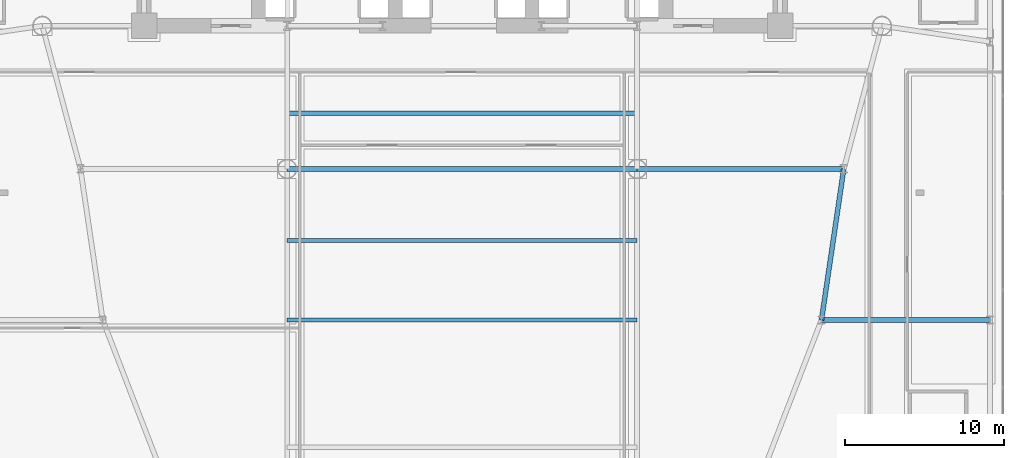
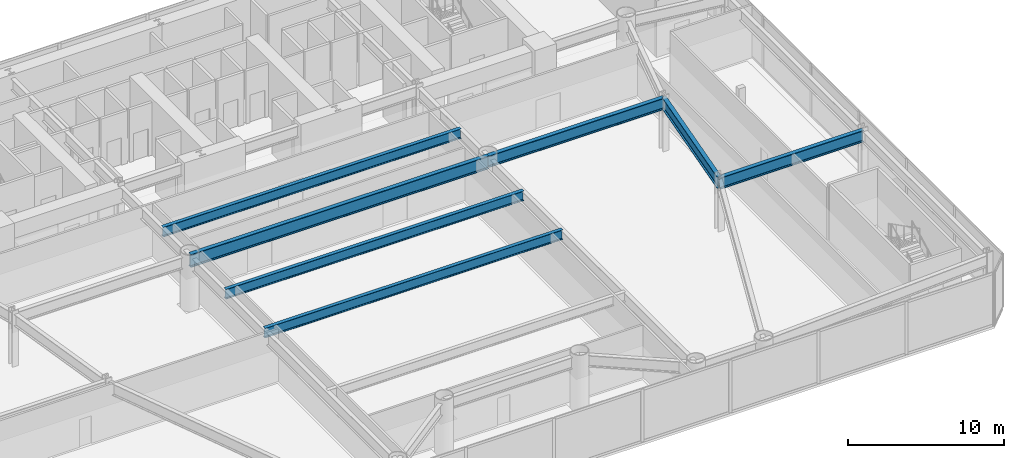
# One storey, part 6 of 24: 7 beams.
"""IFC4 building model written with IfcOpenShell, lengths in metres."""

import ifcopenshell
import ifcopenshell.guid

model = None  # the IFC model being written
_history = None  # IfcOwnerHistory: only IFC2X3 demands one
_inside = {}  # id of a spatial element -> (the spatial element, [elements in it])
_under = {}  # id of a project, library or spatial element -> (it, [spatial elements below it])
_declared = {}  # id of a project -> (the project, [libraries it declares])
_typed = {}  # id of a type object -> (the type object, [elements of that type])
_made_of = {}  # id of a material, layer set ... -> (it, [elements and type objects made of it])


def new_model(schema):
    """Start an empty IFC model of exactly this schema.

    Asked for "IFC4X3", IfcOpenShell would pick the latest addendum, in which some entities
    have other attributes; the version numbers below select the first issue.
    IFC2X3 requires an IfcOwnerHistory on every rooted entity: one is made here for all.
    """
    global model, _history
    if schema == "IFC4X3":
        model = ifcopenshell.file(schema_version=(4, 3, 0, 0))
    else:
        model = ifcopenshell.file(schema=schema)
    _inside.clear()
    _under.clear()
    _declared.clear()
    _typed.clear()
    _made_of.clear()
    _history = None
    if model.schema == "IFC2X3":
        org = make("IfcOrganization", Name="unknown")
        user = make(
            "IfcPersonAndOrganization",
            ThePerson=make("IfcPerson", FamilyName="unknown"),
            TheOrganization=org,
        )
        app = make(
            "IfcApplication",
            ApplicationDeveloper=org,
            Version="unknown",
            ApplicationFullName="unknown",
            ApplicationIdentifier="unknown",
        )
        _history = make(
            "IfcOwnerHistory",
            OwningUser=user,
            OwningApplication=app,
            ChangeAction="ADDED",
            CreationDate=0,
        )
    return model


def make(cls, **values):
    """One entity of the class cls with the attributes given. An attribute that is None is left unset."""
    return model.create_entity(
        cls, **{name: value for name, value in values.items() if value is not None}
    )


def rooted(cls, **values):
    """An entity with a GlobalId (a new one), such as an element, a storey or a relation."""
    return make(cls, GlobalId=ifcopenshell.guid.new(), OwnerHistory=_history, **values)


def si_unit(unit_type, name, prefix=None):
    """IfcSIUnit, for example si_unit("LENGTHUNIT", "METRE", prefix="MILLI")."""
    return make("IfcSIUnit", UnitType=unit_type, Prefix=prefix, Name=name)


def assignment(units):
    """IfcUnitAssignment: the units of a project."""
    return None if units is None else make("IfcUnitAssignment", Units=units)


def point(xyz):
    """IfcCartesianPoint."""
    return None if xyz is None else make("IfcCartesianPoint", Coordinates=xyz)


def direction(xyz):
    """IfcDirection."""
    return None if xyz is None else make("IfcDirection", DirectionRatios=xyz)


def frame(location, z_axis=None, x_axis=None):
    """IfcAxis2Placement3D, a coordinate frame: its origin and axes. An axis left out is left unset."""
    return make(
        "IfcAxis2Placement3D",
        Location=point(location),
        Axis=direction(z_axis),
        RefDirection=direction(x_axis),
    )


def frame_2d(location, x_axis=None):
    """IfcAxis2Placement2D, a coordinate frame in the plane: its origin and x axis."""
    return make(
        "IfcAxis2Placement2D", Location=point(location), RefDirection=direction(x_axis)
    )


def origin():
    """The frame at (0, 0, 0) with its axes left unset."""
    return frame((0.0, 0.0, 0.0))


def origin_2d():
    """The frame at (0, 0) in the plane with its x axis left unset."""
    return frame_2d((0.0, 0.0))


def place(relative_to, where):
    """IfcLocalPlacement: puts the frame where relative to a parent placement (None: the world)."""
    return make(
        "IfcLocalPlacement", PlacementRelTo=relative_to, RelativePlacement=where
    )


def context(
    kind, dimensions, precision=None, world=None, true_north=None, identifier=None
):
    """IfcGeometricRepresentationContext, for example the 3D "Model" context."""
    return make(
        "IfcGeometricRepresentationContext",
        ContextIdentifier=identifier,
        ContextType=kind,
        CoordinateSpaceDimension=dimensions,
        Precision=precision,
        WorldCoordinateSystem=world,
        TrueNorth=true_north,
    )


def subcontext(parent, identifier, kind, view, scale=None):
    """IfcGeometricRepresentationSubContext, for example "Body" below "Model"."""
    return make(
        "IfcGeometricRepresentationSubContext",
        ContextIdentifier=identifier,
        ContextType=kind,
        ParentContext=parent,
        TargetScale=scale,
        TargetView=view,
    )


def project(units=None, contexts=None):
    """IfcProject with its units and contexts."""
    return rooted(
        "IfcProject",
        Name="project",
        RepresentationContexts=contexts,
        UnitsInContext=assignment(units),
    )


def spatial(cls, under=None, at=None, **own):
    """A site, building, storey or space (cls), placed at a placement, below another one or the project."""
    s = rooted(cls, ObjectPlacement=at, **own)
    if under is not None:
        _under.setdefault(under.id(), (under, []))[1].append(s)
    return s


def profile(cls, at=None, kind="AREA", **sizes):
    """A parametric profile (cls). Its sizes go by their IFC names, for example OverallWidth=200.0."""
    return make(cls, ProfileType=kind, Position=at, **sizes)


def i_section(**sizes):
    """IfcIShapeProfileDef."""
    return profile("IfcIShapeProfileDef", **sizes)


def extrude(swept, where, along, depth):
    """IfcExtrudedAreaSolid: the profile swept, set in the frame where, extruded along a direction by depth."""
    return make(
        "IfcExtrudedAreaSolid",
        SweptArea=swept,
        Position=where,
        ExtrudedDirection=direction(along),
        Depth=depth,
    )


def shape(context_of_items, identifier, shape_type, items):
    """IfcShapeRepresentation: the items that make up one representation, for example the "Body"."""
    return make(
        "IfcShapeRepresentation",
        ContextOfItems=context_of_items,
        RepresentationIdentifier=identifier,
        RepresentationType=shape_type,
        Items=items,
    )


def source(mapping_origin, context_of_items, identifier, shape_type, items):
    """IfcRepresentationMap: a shape defined once, which mapped items show again and again."""
    return make(
        "IfcRepresentationMap",
        MappingOrigin=mapping_origin,
        MappedRepresentation=shape(context_of_items, identifier, shape_type, items),
    )


def transform(
    local_origin,
    x_axis=None,
    y_axis=None,
    z_axis=None,
    scale=None,
    scale2=None,
    scale3=None,
    uniform=True,
):
    """IfcCartesianTransformationOperator3D, or its non-uniform kind. x_axis, y_axis, z_axis: its Axis1, 2, 3."""
    if uniform:
        return make(
            "IfcCartesianTransformationOperator3D",
            Axis1=direction(x_axis),
            Axis2=direction(y_axis),
            LocalOrigin=point(local_origin),
            Scale=scale,
            Axis3=direction(z_axis),
        )
    return make(
        "IfcCartesianTransformationOperator3DnonUniform",
        Axis1=direction(x_axis),
        Axis2=direction(y_axis),
        LocalOrigin=point(local_origin),
        Scale=scale,
        Axis3=direction(z_axis),
        Scale2=scale2,
        Scale3=scale3,
    )


def mapped(mapping_source, mapping_target):
    """IfcMappedItem: shows the shape of a source again, moved by a transform."""
    return make(
        "IfcMappedItem", MappingSource=mapping_source, MappingTarget=mapping_target
    )


def material(Name=None, Category=None):
    """IfcMaterial."""
    return make("IfcMaterial", Name=Name, Category=Category)


def material_profile(
    of_material, cross_section, Name=None, Category=None, Priority=None
):
    """IfcMaterialProfile: a cross section and its material."""
    return make(
        "IfcMaterialProfile",
        Name=Name,
        Material=of_material,
        Profile=cross_section,
        Priority=Priority,
        Category=Category,
    )


def profile_set(profiles, Name=None, composite=None):
    """IfcMaterialProfileSet."""
    return make(
        "IfcMaterialProfileSet",
        Name=Name,
        MaterialProfiles=profiles,
        CompositeProfile=composite,
    )


def made_of(thing, what):
    """Note that an element or type object is made of a material, layer set ...; save() writes the relation."""
    if what is not None:
        _made_of.setdefault(what.id(), (what, []))[1].append(thing)
    return thing


def type_object(cls, material=None, **own):
    """A type object (cls), such as IfcWallType, which elements share."""
    return made_of(rooted(cls, **own), material)


def element(
    cls,
    number,
    at=None,
    inside=None,
    cuts=None,
    type_object=None,
    material=None,
    context=None,
    identifier="Body",
    shape_type=None,
    held_by="IfcProductDefinitionShape",
    body=None,
    shapes=None,
    **own,
):
    """One element of the class cls, such as IfcWall. Its Tag is "e" and its number.

    at: its placement. inside: the storey or other place that contains it. cuts: it is an
    opening in that element (IfcRelVoidsElement). A single representation is given by context,
    identifier, shape_type and body (its items); several are given by shapes. held_by: the class
    of the entity that holds the representations. save() writes the other relations.
    """
    e = rooted(cls, Tag="e%d" % number, ObjectPlacement=at, **own)
    if body is not None:
        shapes = [shape(context, identifier, shape_type, body)]
    if shapes is not None:
        e.Representation = make(held_by, Representations=shapes)
    if inside is not None:
        _inside.setdefault(inside.id(), (inside, []))[1].append(e)
    if cuts is not None:
        rooted(
            "IfcRelVoidsElement", RelatingBuildingElement=cuts, RelatedOpeningElement=e
        )
    if type_object is not None:
        _typed.setdefault(type_object.id(), (type_object, []))[1].append(e)
    return made_of(e, material)


def aggregate(whole, parts):
    """IfcRelAggregates: a whole, such as a stair, and the parts it consists of."""
    return rooted("IfcRelAggregates", RelatingObject=whole, RelatedObjects=parts)


def save(model, path):
    """Write the relations noted so far, then the file.

    IfcRelAggregates (storeys below a building ...), IfcRelContainedInSpatialStructure (elements
    in a storey), IfcRelDefinesByType, IfcRelAssociatesMaterial and IfcRelDeclares: one each for
    every whole, place, type object, material and project.
    """
    for whole, parts in _under.values():
        aggregate(whole, parts)
    for where, things in _inside.values():
        rooted(
            "IfcRelContainedInSpatialStructure",
            RelatedElements=things,
            RelatingStructure=where,
        )
    for kind, things in _typed.values():
        rooted("IfcRelDefinesByType", RelatedObjects=things, RelatingType=kind)
    for what, things in _made_of.values():
        rooted("IfcRelAssociatesMaterial", RelatedObjects=things, RelatingMaterial=what)
    for by, libraries in _declared.values():
        rooted("IfcRelDeclares", RelatingContext=by, RelatedDefinitions=libraries)
    model.write(path)


model = new_model("IFC4")

# Units and contexts
model_context = context("Model", 3, precision=1e-05, world=origin(), true_north=direction((0.0, 1.0)))
body_context = subcontext(model_context, "Body", "Model", "MODEL_VIEW")
ifc_project = project(units=[si_unit("LENGTHUNIT", "METRE"), si_unit("AREAUNIT", "SQUARE_METRE"), si_unit("VOLUMEUNIT", "CUBIC_METRE"), si_unit("PLANEANGLEUNIT", "RADIAN"), si_unit("MASSUNIT", "GRAM", prefix="KILO")], contexts=[model_context])

# Site, building, storey
site_placement = place(None, origin())
site = spatial("IfcSite", under=ifc_project, at=site_placement, CompositionType="ELEMENT")
building_placement = place(site_placement, origin())
building = spatial("IfcBuilding", under=site, at=building_placement, Name="Vaeldorn Concourse Tower", CompositionType="ELEMENT")
storey_placement = place(building_placement, frame((0.0, 0.0, 10.0)))
storey = spatial("IfcBuildingStorey", under=building, at=storey_placement, Name="L02", CompositionType="ELEMENT", Elevation=10.0)

# Beams
ifc_material_1 = material(Name="Steel S355", Category="steel")
ifc_material_profile_1 = material_profile(ifc_material_1, i_section(OverallWidth=0.302001953125, OverallDepth=0.909912109375, WebThickness=0.02099609375, FlangeThickness=0.0400390625, FilletRadius=0.030029296875, at=origin_2d()), Name="HEM 900")
ifc_profile_set_1 = profile_set([ifc_material_profile_1], Name="Steel S355")
beam_type_1 = type_object("IfcBeamType", Name="BM-PG-HEM900", PredefinedType="BEAM", material=ifc_profile_set_1)
shared_shape_1 = source(origin(), body_context, "Body", "SweptSolid", [
    extrude(i_section(OverallWidth=0.302001953125, OverallDepth=0.909912109375, WebThickness=0.02099609375, FlangeThickness=0.0400390625, FilletRadius=0.030029296875, at=origin_2d()), origin(), (0.0, 0.0, 1.0), 9.6025390625),
])
beam_1_placement = place(storey_placement, frame((58.0, 27.5, 3.6650390625), z_axis=(-0.145783835977, -0.989316467652, 0.0), x_axis=(0.989316467652, -0.145783835977, 0.0)))
element("IfcBeam", 1, at=beam_1_placement, inside=storey, type_object=beam_type_1, Name="Beam BM-L02-C-FLE1-C-FLE2", PredefinedType="BEAM", context=body_context, shape_type="MappedRepresentation", body=[
    mapped(shared_shape_1, transform((0.0, 0.0, 0.0), scale=1.0)),
])
ifc_material_2 = material(Name="Steel S460", Category="steel")
ifc_material_profile_2 = material_profile(ifc_material_2, i_section(OverallWidth=0.302001953125, OverallDepth=1.008056640625, WebThickness=0.02099609375, FlangeThickness=0.0400390625, FilletRadius=0.030029296875, at=origin_2d()), Name="HEM 1000")
ifc_profile_set_2 = profile_set([ifc_material_profile_2], Name="Steel S460")
beam_type_2 = type_object("IfcBeamType", Name="BM-TG-HEM1000", PredefinedType="BEAM", material=ifc_profile_set_2)
shared_shape_2 = source(origin(), body_context, "Body", "SweptSolid", [
    extrude(i_section(OverallWidth=0.302001953125, OverallDepth=1.008056640625, WebThickness=0.02099609375, FlangeThickness=0.0400390625, FilletRadius=0.030029296875, at=origin_2d()), origin(), (0.0, 0.0, 1.0), 22.0),
])
beam_2_placement = place(storey_placement, frame((23.0, 27.5, 3.615966796875), z_axis=(1.0, 0.0, 0.0), x_axis=(0.0, 1.0, 0.0)))
element("IfcBeam", 2, at=beam_2_placement, inside=storey, type_object=beam_type_2, Name="Beam BM-L02-C-TW1-C-TW4", PredefinedType="BEAM", context=body_context, shape_type="MappedRepresentation", body=[
    mapped(shared_shape_2, transform((0.0, 0.0, 0.0), scale=1.0)),
])
shared_shape_3 = source(origin(), body_context, "Body", "SweptSolid", [
    extrude(i_section(OverallWidth=0.302001953125, OverallDepth=0.909912109375, WebThickness=0.02099609375, FlangeThickness=0.0400390625, FilletRadius=0.030029296875, at=origin_2d()), origin(), (0.0, 0.0, 1.0), 13.0),
])
beam_3_placement = place(storey_placement, frame((45.0, 27.5, 3.6650390625), z_axis=(1.0, 0.0, 0.0), x_axis=(0.0, 1.0, 0.0)))
element("IfcBeam", 3, at=beam_3_placement, inside=storey, type_object=beam_type_1, Name="Beam BM-L02-C-TW4-C-FLE1", PredefinedType="BEAM", context=body_context, shape_type="MappedRepresentation", body=[
    mapped(shared_shape_3, transform((0.0, 0.0, 0.0), scale=1.0)),
])
shared_shape_4 = source(origin(), body_context, "Body", "SweptSolid", [
    extrude(i_section(OverallWidth=0.302001953125, OverallDepth=0.909912109375, WebThickness=0.02099609375, FlangeThickness=0.0400390625, FilletRadius=0.030029296875, at=origin_2d()), origin(), (0.0, 0.0, 1.0), 10.599853515625),
])
beam_4_placement = place(storey_placement, frame((67.199951171875, 18.0, 3.6650390625), z_axis=(-1.0, 0.0, 0.0), x_axis=(0.0, -1.0, 0.0)))
element("IfcBeam", 4, at=beam_4_placement, inside=storey, type_object=beam_type_1, Name="Beam BM-L02-C-PE2-C-FLE2", PredefinedType="BEAM", context=body_context, shape_type="MappedRepresentation", body=[
    mapped(shared_shape_4, transform((0.0, 0.0, 0.0), scale=1.0)),
])
ifc_material_profile_3 = material_profile(ifc_material_1, i_section(OverallWidth=0.26708984375, OverallDepth=0.761962890625, WebThickness=0.014404296875, FlangeThickness=0.021484375, FilletRadius=0.01708984375, at=origin_2d()), Name="IPE 750x173")
ifc_profile_set_3 = profile_set([ifc_material_profile_3], Name="Steel S355")
beam_type_3 = type_object("IfcBeamType", Name="BM-JS-IPE750", PredefinedType="JOIST", material=ifc_profile_set_3)
shared_shape_5 = source(origin(), body_context, "Body", "SweptSolid", [
    extrude(i_section(OverallWidth=0.26708984375, OverallDepth=0.761962890625, WebThickness=0.014404296875, FlangeThickness=0.021484375, FilletRadius=0.01708984375, at=origin_2d()), origin(), (0.0, 0.0, 1.0), 22.0),
])
for number, where, z_axis, x_axis, name in (
    (5, (23.0, 18.0, 3.739013671875), (1.0, 0.0, 0.0), (0.0, 1.0, 0.0), "Beam JS-L02-C-18"),
    (6, (23.0, 23.0, 3.739013671875), (1.0, 0.0, 0.0), (0.0, 1.0, 0.0), "Beam JS-L02-C-23"),
    (7, (23.0, 31.0, 3.739013671875), (1.0, 0.0, 0.0), (0.0, 1.0, 0.0), "Beam JS-L02-C-31"),
):
    element("IfcBeam", number, at=place(storey_placement, frame(where, z_axis=z_axis, x_axis=x_axis)), inside=storey, type_object=beam_type_3, Name=name, PredefinedType="JOIST", context=body_context, shape_type="MappedRepresentation", body=[
        mapped(shared_shape_5, transform((0.0, 0.0, 0.0), scale=1.0)),
    ])

save(model, "model.ifc")
